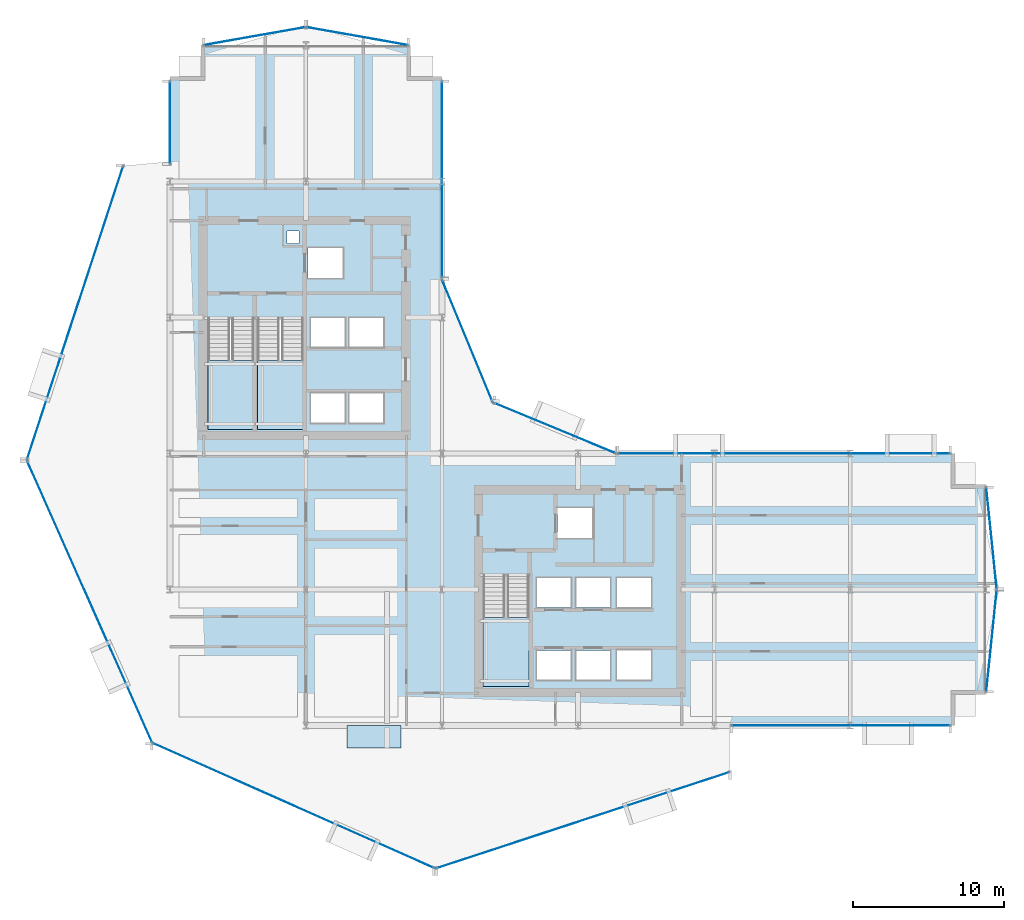
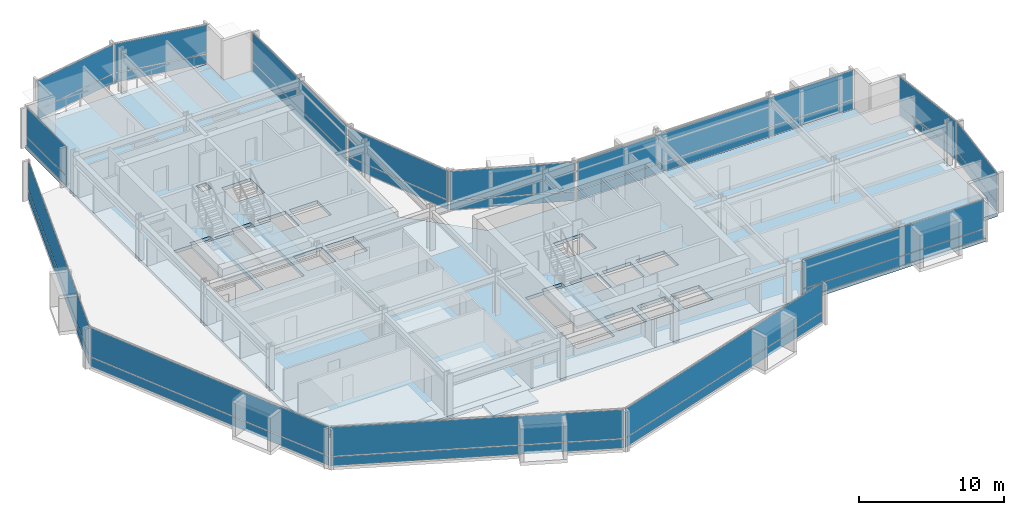
# One storey, part 27 of 35: 28 plates, 5 slabs, 17 elements without a shape of their own.
"""IFC4 building model written with IfcOpenShell, lengths in metres."""

import ifcopenshell
import ifcopenshell.guid

model = None  # the IFC model being written
_history = None  # IfcOwnerHistory: only IFC2X3 demands one
_inside = {}  # id of a spatial element -> (the spatial element, [elements in it])
_under = {}  # id of a project, library or spatial element -> (it, [spatial elements below it])
_declared = {}  # id of a project -> (the project, [libraries it declares])
_typed = {}  # id of a type object -> (the type object, [elements of that type])
_made_of = {}  # id of a material, layer set ... -> (it, [elements and type objects made of it])


def new_model(schema):
    """Start an empty IFC model of exactly this schema.

    Asked for "IFC4X3", IfcOpenShell would pick the latest addendum, in which some entities
    have other attributes; the version numbers below select the first issue.
    IFC2X3 requires an IfcOwnerHistory on every rooted entity: one is made here for all.
    """
    global model, _history
    if schema == "IFC4X3":
        model = ifcopenshell.file(schema_version=(4, 3, 0, 0))
    else:
        model = ifcopenshell.file(schema=schema)
    _inside.clear()
    _under.clear()
    _declared.clear()
    _typed.clear()
    _made_of.clear()
    _history = None
    if model.schema == "IFC2X3":
        org = make("IfcOrganization", Name="unknown")
        user = make(
            "IfcPersonAndOrganization",
            ThePerson=make("IfcPerson", FamilyName="unknown"),
            TheOrganization=org,
        )
        app = make(
            "IfcApplication",
            ApplicationDeveloper=org,
            Version="unknown",
            ApplicationFullName="unknown",
            ApplicationIdentifier="unknown",
        )
        _history = make(
            "IfcOwnerHistory",
            OwningUser=user,
            OwningApplication=app,
            ChangeAction="ADDED",
            CreationDate=0,
        )
    return model


def make(cls, **values):
    """One entity of the class cls with the attributes given. An attribute that is None is left unset."""
    return model.create_entity(
        cls, **{name: value for name, value in values.items() if value is not None}
    )


def rooted(cls, **values):
    """An entity with a GlobalId (a new one), such as an element, a storey or a relation."""
    return make(cls, GlobalId=ifcopenshell.guid.new(), OwnerHistory=_history, **values)


def si_unit(unit_type, name, prefix=None):
    """IfcSIUnit, for example si_unit("LENGTHUNIT", "METRE", prefix="MILLI")."""
    return make("IfcSIUnit", UnitType=unit_type, Prefix=prefix, Name=name)


def assignment(units):
    """IfcUnitAssignment: the units of a project."""
    return None if units is None else make("IfcUnitAssignment", Units=units)


def point(xyz):
    """IfcCartesianPoint."""
    return None if xyz is None else make("IfcCartesianPoint", Coordinates=xyz)


def direction(xyz):
    """IfcDirection."""
    return None if xyz is None else make("IfcDirection", DirectionRatios=xyz)


def frame(location, z_axis=None, x_axis=None):
    """IfcAxis2Placement3D, a coordinate frame: its origin and axes. An axis left out is left unset."""
    return make(
        "IfcAxis2Placement3D",
        Location=point(location),
        Axis=direction(z_axis),
        RefDirection=direction(x_axis),
    )


def frame_2d(location, x_axis=None):
    """IfcAxis2Placement2D, a coordinate frame in the plane: its origin and x axis."""
    return make(
        "IfcAxis2Placement2D", Location=point(location), RefDirection=direction(x_axis)
    )


def origin():
    """The frame at (0, 0, 0) with its axes left unset."""
    return frame((0.0, 0.0, 0.0))


def origin_2d():
    """The frame at (0, 0) in the plane with its x axis left unset."""
    return frame_2d((0.0, 0.0))


def place(relative_to, where):
    """IfcLocalPlacement: puts the frame where relative to a parent placement (None: the world)."""
    return make(
        "IfcLocalPlacement", PlacementRelTo=relative_to, RelativePlacement=where
    )


def context(
    kind, dimensions, precision=None, world=None, true_north=None, identifier=None
):
    """IfcGeometricRepresentationContext, for example the 3D "Model" context."""
    return make(
        "IfcGeometricRepresentationContext",
        ContextIdentifier=identifier,
        ContextType=kind,
        CoordinateSpaceDimension=dimensions,
        Precision=precision,
        WorldCoordinateSystem=world,
        TrueNorth=true_north,
    )


def subcontext(parent, identifier, kind, view, scale=None):
    """IfcGeometricRepresentationSubContext, for example "Body" below "Model"."""
    return make(
        "IfcGeometricRepresentationSubContext",
        ContextIdentifier=identifier,
        ContextType=kind,
        ParentContext=parent,
        TargetScale=scale,
        TargetView=view,
    )


def project(units=None, contexts=None):
    """IfcProject with its units and contexts."""
    return rooted(
        "IfcProject",
        Name="project",
        RepresentationContexts=contexts,
        UnitsInContext=assignment(units),
    )


def spatial(cls, under=None, at=None, **own):
    """A site, building, storey or space (cls), placed at a placement, below another one or the project."""
    s = rooted(cls, ObjectPlacement=at, **own)
    if under is not None:
        _under.setdefault(under.id(), (under, []))[1].append(s)
    return s


def polyline(points):
    """IfcPolyline through the points."""
    return make("IfcPolyline", Points=[point(p) for p in points])


def profile(cls, at=None, kind="AREA", **sizes):
    """A parametric profile (cls). Its sizes go by their IFC names, for example OverallWidth=200.0."""
    return make(cls, ProfileType=kind, Position=at, **sizes)


def rectangle(**sizes):
    """IfcRectangleProfileDef."""
    return profile("IfcRectangleProfileDef", **sizes)


def outline(outer, holes=None, kind="AREA"):
    """IfcArbitraryClosedProfileDef: a profile drawn as a closed curve; with holes, ...WithVoids."""
    if holes is None:
        return make("IfcArbitraryClosedProfileDef", ProfileType=kind, OuterCurve=outer)
    return make(
        "IfcArbitraryProfileDefWithVoids",
        ProfileType=kind,
        OuterCurve=outer,
        InnerCurves=holes,
    )


def extrude(swept, where, along, depth):
    """IfcExtrudedAreaSolid: the profile swept, set in the frame where, extruded along a direction by depth."""
    return make(
        "IfcExtrudedAreaSolid",
        SweptArea=swept,
        Position=where,
        ExtrudedDirection=direction(along),
        Depth=depth,
    )


def shape(context_of_items, identifier, shape_type, items):
    """IfcShapeRepresentation: the items that make up one representation, for example the "Body"."""
    return make(
        "IfcShapeRepresentation",
        ContextOfItems=context_of_items,
        RepresentationIdentifier=identifier,
        RepresentationType=shape_type,
        Items=items,
    )


def material(Name=None, Category=None):
    """IfcMaterial."""
    return make("IfcMaterial", Name=Name, Category=Category)


def layer(
    of_material, thickness, ventilated=None, Name=None, Category=None, Priority=None
):
    """IfcMaterialLayer: one layer of a wall or slab, of a material (None: an air gap)."""
    return make(
        "IfcMaterialLayer",
        Material=of_material,
        LayerThickness=thickness,
        IsVentilated=ventilated,
        Name=Name,
        Category=Category,
        Priority=Priority,
    )


def layer_set(layers, Name=None):
    """IfcMaterialLayerSet."""
    return make("IfcMaterialLayerSet", MaterialLayers=layers, LayerSetName=Name)


def made_of(thing, what):
    """Note that an element or type object is made of a material, layer set ...; save() writes the relation."""
    if what is not None:
        _made_of.setdefault(what.id(), (what, []))[1].append(thing)
    return thing


def type_object(cls, material=None, **own):
    """A type object (cls), such as IfcWallType, which elements share."""
    return made_of(rooted(cls, **own), material)


def element(
    cls,
    number,
    at=None,
    inside=None,
    cuts=None,
    type_object=None,
    material=None,
    context=None,
    identifier="Body",
    shape_type=None,
    held_by="IfcProductDefinitionShape",
    body=None,
    shapes=None,
    **own,
):
    """One element of the class cls, such as IfcWall. Its Tag is "e" and its number.

    at: its placement. inside: the storey or other place that contains it. cuts: it is an
    opening in that element (IfcRelVoidsElement). A single representation is given by context,
    identifier, shape_type and body (its items); several are given by shapes. held_by: the class
    of the entity that holds the representations. save() writes the other relations.
    """
    e = rooted(cls, Tag="e%d" % number, ObjectPlacement=at, **own)
    if body is not None:
        shapes = [shape(context, identifier, shape_type, body)]
    if shapes is not None:
        e.Representation = make(held_by, Representations=shapes)
    if inside is not None:
        _inside.setdefault(inside.id(), (inside, []))[1].append(e)
    if cuts is not None:
        rooted(
            "IfcRelVoidsElement", RelatingBuildingElement=cuts, RelatedOpeningElement=e
        )
    if type_object is not None:
        _typed.setdefault(type_object.id(), (type_object, []))[1].append(e)
    return made_of(e, material)


def aggregate(whole, parts):
    """IfcRelAggregates: a whole, such as a stair, and the parts it consists of."""
    return rooted("IfcRelAggregates", RelatingObject=whole, RelatedObjects=parts)


def save(model, path):
    """Write the relations noted so far, then the file.

    IfcRelAggregates (storeys below a building ...), IfcRelContainedInSpatialStructure (elements
    in a storey), IfcRelDefinesByType, IfcRelAssociatesMaterial and IfcRelDeclares: one each for
    every whole, place, type object, material and project.
    """
    for whole, parts in _under.values():
        aggregate(whole, parts)
    for where, things in _inside.values():
        rooted(
            "IfcRelContainedInSpatialStructure",
            RelatedElements=things,
            RelatingStructure=where,
        )
    for kind, things in _typed.values():
        rooted("IfcRelDefinesByType", RelatedObjects=things, RelatingType=kind)
    for what, things in _made_of.values():
        rooted("IfcRelAssociatesMaterial", RelatedObjects=things, RelatingMaterial=what)
    for by, libraries in _declared.values():
        rooted("IfcRelDeclares", RelatingContext=by, RelatedDefinitions=libraries)
    model.write(path)


model = new_model("IFC4")

# Units and contexts
model_context = context("Model", 3, precision=1e-05, world=origin(), true_north=direction((0.0, 1.0)))
body_context = subcontext(model_context, "Body", "Model", "MODEL_VIEW")
ifc_project = project(units=[si_unit("LENGTHUNIT", "METRE"), si_unit("AREAUNIT", "SQUARE_METRE"), si_unit("VOLUMEUNIT", "CUBIC_METRE"), si_unit("PLANEANGLEUNIT", "RADIAN"), si_unit("MASSUNIT", "GRAM", prefix="KILO")], contexts=[model_context])

# Site, building, storey
site_placement = place(None, origin())
site = spatial("IfcSite", under=ifc_project, at=site_placement, CompositionType="ELEMENT")
building_placement = place(site_placement, origin())
building = spatial("IfcBuilding", under=site, at=building_placement, Name="Solvaryn Broadcast Tower", CompositionType="ELEMENT")
storey_placement = place(building_placement, frame((0.0, 0.0, 80.39990234375)))
storey = spatial("IfcBuildingStorey", under=building, at=storey_placement, Name="L19", CompositionType="ELEMENT", Elevation=80.39990234375)

# Curtain wall, plates
ifc_material_1 = material(Name="Aluminium and Terracotta Unitised Curtain Wall", Category="masonry")
ifc_layer_1 = layer(ifc_material_1, 0.199951171875)
ifc_layer_set_1 = layer_set([ifc_layer_1], Name="CW-SYS2-LOWMID")
curtain_wall_type_1 = type_object("IfcCurtainWallType", Name="CW-SYS2-LOWMID", PredefinedType="NOTDEFINED", material=ifc_layer_set_1)
curtain_wall_1_placement = place(storey_placement, origin())
curtain_wall_1 = element("IfcCurtainWall", 1, at=curtain_wall_1_placement, inside=storey, type_object=curtain_wall_type_1, Name="L19 Curtain Wall DR1", PredefinedType="NOTDEFINED")
ifc_material_2 = material(Name="Low-Iron Insulated Vision Glass", Category="glass")
ifc_layer_2 = layer(ifc_material_2, 0.035888671875)
ifc_layer_set_2 = layer_set([ifc_layer_2], Name="CW-PNL-VISION")
plate_type = type_object("IfcPlateType", Name="CW-PNL-VISION", PredefinedType="CURTAIN_PANEL", material=ifc_layer_set_2)
plate_1_placement = place(storey_placement, frame((2.72607421875, 36.2880859375, 0.06005859375), z_axis=(0.0, 0.0, 1.0), x_axis=(-0.311594044587, -0.950215318429, 0.0)))
plate_1 = element("IfcPlate", 2, at=plate_1_placement, type_object=plate_type, Name="CWS2 panel 1.1", PredefinedType="CURTAIN_PANEL", context=body_context, shape_type="SweptSolid", body=[
    extrude(rectangle(XDim=20.35546875, YDim=0.028076171875, at=origin_2d()), origin(), (0.0, 0.0, 1.0), 0.760009765625),
])
plate_2_placement = place(storey_placement, frame((2.72607421875, 36.2880859375, 0.88037109375), z_axis=(0.0, 0.0, 1.0), x_axis=(-0.311594044587, -0.950215318429, 0.0)))
plate_2 = element("IfcPlate", 3, at=plate_2_placement, type_object=plate_type, Name="CWS2 panel 1.2", PredefinedType="CURTAIN_PANEL", context=body_context, shape_type="SweptSolid", body=[
    extrude(rectangle(XDim=20.35546875, YDim=0.028076171875, at=origin_2d()), origin(), (0.0, 0.0, 1.0), 2.429931640625),
])
aggregate(curtain_wall_1, [plate_1, plate_2])

ifc_material_3 = material(Name="Aluminium and Terracotta Unitised Curtain Wall", Category="masonry")
ifc_layer_3 = layer(ifc_material_3, 0.239990234375)
ifc_layer_set_3 = layer_set([ifc_layer_3], Name="CW-SYS3-BAYBOX")
curtain_wall_type_2 = type_object("IfcCurtainWallType", Name="CW-SYS3-BAYBOX", PredefinedType="NOTDEFINED", material=ifc_layer_set_3)
curtain_wall_2_placement = place(storey_placement, origin())
curtain_wall_2 = element("IfcCurtainWall", 4, at=curtain_wall_2_placement, inside=storey, type_object=curtain_wall_type_2, Name="L19 Curtain Wall DR2", PredefinedType="NOTDEFINED")
plate_3_placement = place(storey_placement, frame((3.69140625, 17.20361328125, 0.06005859375), z_axis=(0.0, 0.0, 1.0), x_axis=(0.405898286554, -0.913918257271, 0.0)))
plate_3 = element("IfcPlate", 5, at=plate_3_placement, type_object=plate_type, Name="CWS3 panel 1.1", PredefinedType="CURTAIN_PANEL", context=body_context, shape_type="SweptSolid", body=[
    extrude(rectangle(XDim=20.35546875, YDim=0.028076171875, at=origin_2d()), origin(), (0.0, 0.0, 1.0), 0.760009765625),
])
plate_4_placement = place(storey_placement, frame((3.69140625, 17.20361328125, 0.88037109375), z_axis=(0.0, 0.0, 1.0), x_axis=(0.405898286554, -0.913918257271, 0.0)))
plate_4 = element("IfcPlate", 6, at=plate_4_placement, type_object=plate_type, Name="CWS3 panel 1.2", PredefinedType="CURTAIN_PANEL", context=body_context, shape_type="SweptSolid", body=[
    extrude(rectangle(XDim=20.35546875, YDim=0.028076171875, at=origin_2d()), origin(), (0.0, 0.0, 1.0), 2.429931640625),
])
aggregate(curtain_wall_2, [plate_3, plate_4])

curtain_wall_3_placement = place(storey_placement, origin())
curtain_wall_3 = element("IfcCurtainWall", 7, at=curtain_wall_3_placement, inside=storey, type_object=curtain_wall_type_1, Name="L19 Curtain Wall DR3", PredefinedType="NOTDEFINED")
plate_5_placement = place(storey_placement, frame((17.20361328125, 3.69140625, 0.06005859375), z_axis=(0.0, 0.0, 1.0), x_axis=(0.913918257271, -0.405898286554, 0.0)))
plate_5 = element("IfcPlate", 8, at=plate_5_placement, type_object=plate_type, Name="CWS2 panel 1.1", PredefinedType="CURTAIN_PANEL", context=body_context, shape_type="SweptSolid", body=[
    extrude(rectangle(XDim=20.35546875, YDim=0.028076171875, at=origin_2d()), origin(), (0.0, 0.0, 1.0), 0.760009765625),
])
plate_6_placement = place(storey_placement, frame((17.20361328125, 3.69140625, 0.88037109375), z_axis=(0.0, 0.0, 1.0), x_axis=(0.913918257271, -0.405898286554, 0.0)))
plate_6 = element("IfcPlate", 9, at=plate_6_placement, type_object=plate_type, Name="CWS2 panel 1.2", PredefinedType="CURTAIN_PANEL", context=body_context, shape_type="SweptSolid", body=[
    extrude(rectangle(XDim=20.35546875, YDim=0.028076171875, at=origin_2d()), origin(), (0.0, 0.0, 1.0), 2.429931640625),
])
aggregate(curtain_wall_3, [plate_5, plate_6])

curtain_wall_4_placement = place(storey_placement, origin())
curtain_wall_4 = element("IfcCurtainWall", 10, at=curtain_wall_4_placement, inside=storey, type_object=curtain_wall_type_1, Name="L19 Curtain Wall DR4", PredefinedType="NOTDEFINED")
plate_7_placement = place(storey_placement, frame((36.2880859375, 2.72607421875, 0.06005859375), z_axis=(0.0, 0.0, 1.0), x_axis=(0.950215318429, 0.311594044587, 0.0)))
plate_7 = element("IfcPlate", 11, at=plate_7_placement, type_object=plate_type, Name="CWS2 panel 1.1", PredefinedType="CURTAIN_PANEL", context=body_context, shape_type="SweptSolid", body=[
    extrude(rectangle(XDim=20.35546875, YDim=0.028076171875, at=origin_2d()), origin(), (0.0, 0.0, 1.0), 0.760009765625),
])
plate_8_placement = place(storey_placement, frame((36.2880859375, 2.72607421875, 0.88037109375), z_axis=(0.0, 0.0, 1.0), x_axis=(0.950215318429, 0.311594044587, 0.0)))
plate_8 = element("IfcPlate", 12, at=plate_8_placement, type_object=plate_type, Name="CWS2 panel 1.2", PredefinedType="CURTAIN_PANEL", context=body_context, shape_type="SweptSolid", body=[
    extrude(rectangle(XDim=20.35546875, YDim=0.028076171875, at=origin_2d()), origin(), (0.0, 0.0, 1.0), 2.429931640625),
])
aggregate(curtain_wall_4, [plate_7, plate_8])

curtain_wall_5_placement = place(storey_placement, origin())
curtain_wall_5 = element("IfcCurtainWall", 13, at=curtain_wall_5_placement, inside=storey, type_object=curtain_wall_type_1, Name="L19 Curtain Wall W2", PredefinedType="NOTDEFINED")
plate_9_placement = place(storey_placement, frame((9.0, 48.883056640625, 0.06005859375), z_axis=(0.0, 0.0, 1.0), x_axis=(0.0, 1.0, 0.0)))
plate_9 = element("IfcPlate", 14, at=plate_9_placement, type_object=plate_type, Name="CWS2 panel 1.1", PredefinedType="CURTAIN_PANEL", context=body_context, shape_type="SweptSolid", body=[
    extrude(rectangle(XDim=5.4140625, YDim=0.028076171875, at=origin_2d()), origin(), (0.0, 0.0, 1.0), 0.760009765625),
])
plate_10_placement = place(storey_placement, frame((9.0, 48.883056640625, 0.88037109375), z_axis=(0.0, 0.0, 1.0), x_axis=(0.0, 1.0, 0.0)))
plate_10 = element("IfcPlate", 15, at=plate_10_placement, type_object=plate_type, Name="CWS2 panel 1.2", PredefinedType="CURTAIN_PANEL", context=body_context, shape_type="SweptSolid", body=[
    extrude(rectangle(XDim=5.4140625, YDim=0.028076171875, at=origin_2d()), origin(), (0.0, 0.0, 1.0), 2.429931640625),
])
aggregate(curtain_wall_5, [plate_9, plate_10])

curtain_wall_6_placement = place(storey_placement, origin())
curtain_wall_6 = element("IfcCurtainWall", 16, at=curtain_wall_6_placement, inside=storey, type_object=curtain_wall_type_1, Name="L19 Curtain Wall IV", PredefinedType="NOTDEFINED")
plate_11_placement = place(storey_placement, frame((27.0, 45.125, 0.06005859375), z_axis=(0.0, 0.0, 1.0), x_axis=(0.0, -1.0, 0.0)))
plate_11 = element("IfcPlate", 17, at=plate_11_placement, type_object=plate_type, Name="CWS2 panel 1.1", PredefinedType="CURTAIN_PANEL", context=body_context, shape_type="SweptSolid", body=[
    extrude(rectangle(XDim=12.929931640625, YDim=0.028076171875, at=origin_2d()), origin(), (0.0, 0.0, 1.0), 0.760009765625),
])
plate_12_placement = place(storey_placement, frame((27.0, 45.125, 0.88037109375), z_axis=(0.0, 0.0, 1.0), x_axis=(0.0, -1.0, 0.0)))
plate_12 = element("IfcPlate", 18, at=plate_12_placement, type_object=plate_type, Name="CWS2 panel 1.2", PredefinedType="CURTAIN_PANEL", context=body_context, shape_type="SweptSolid", body=[
    extrude(rectangle(XDim=12.929931640625, YDim=0.028076171875, at=origin_2d()), origin(), (0.0, 0.0, 1.0), 2.429931640625),
])
aggregate(curtain_wall_6, [plate_11, plate_12])

curtain_wall_7_placement = place(storey_placement, origin())
curtain_wall_7 = element("IfcCurtainWall", 19, at=curtain_wall_7_placement, inside=storey, type_object=curtain_wall_type_1, Name="L19 Curtain Wall CN1", PredefinedType="NOTDEFINED")
plate_13_placement = place(storey_placement, frame((34.43408203125, 28.68408203125, 0.06005859375), z_axis=(0.0, 0.0, 1.0), x_axis=(-0.923894983957, 0.382646127145, 0.0)))
plate_13 = element("IfcPlate", 20, at=plate_13_placement, type_object=plate_type, Name="CWS2 panel 1.1", PredefinedType="CURTAIN_PANEL", context=body_context, shape_type="SweptSolid", body=[
    extrude(rectangle(XDim=8.681884765625, YDim=0.028076171875, at=origin_2d()), origin(), (0.0, 0.0, 1.0), 0.760009765625),
])
plate_14_placement = place(storey_placement, frame((34.43408203125, 28.68408203125, 0.88037109375), z_axis=(0.0, 0.0, 1.0), x_axis=(-0.923894983957, 0.382646127145, 0.0)))
plate_14 = element("IfcPlate", 21, at=plate_14_placement, type_object=plate_type, Name="CWS2 panel 1.2", PredefinedType="CURTAIN_PANEL", context=body_context, shape_type="SweptSolid", body=[
    extrude(rectangle(XDim=8.681884765625, YDim=0.028076171875, at=origin_2d()), origin(), (0.0, 0.0, 1.0), 2.429931640625),
])
aggregate(curtain_wall_7, [plate_13, plate_14])

curtain_wall_8_placement = place(storey_placement, origin())
curtain_wall_8 = element("IfcCurtainWall", 22, at=curtain_wall_8_placement, inside=storey, type_object=curtain_wall_type_1, Name="L19 Curtain Wall CN2", PredefinedType="NOTDEFINED")
plate_15_placement = place(storey_placement, frame((28.68408203125, 34.43408203125, 0.06005859375), z_axis=(0.0, 0.0, 1.0), x_axis=(-0.382646127145, 0.923894983957, 0.0)))
plate_15 = element("IfcPlate", 23, at=plate_15_placement, type_object=plate_type, Name="CWS2 panel 1.1", PredefinedType="CURTAIN_PANEL", context=body_context, shape_type="SweptSolid", body=[
    extrude(rectangle(XDim=8.681884765625, YDim=0.028076171875, at=origin_2d()), origin(), (0.0, 0.0, 1.0), 0.760009765625),
])
plate_16_placement = place(storey_placement, frame((28.68408203125, 34.43408203125, 0.88037109375), z_axis=(0.0, 0.0, 1.0), x_axis=(-0.382646127145, 0.923894983957, 0.0)))
plate_16 = element("IfcPlate", 24, at=plate_16_placement, type_object=plate_type, Name="CWS2 panel 1.2", PredefinedType="CURTAIN_PANEL", context=body_context, shape_type="SweptSolid", body=[
    extrude(rectangle(XDim=8.681884765625, YDim=0.028076171875, at=origin_2d()), origin(), (0.0, 0.0, 1.0), 2.429931640625),
])
aggregate(curtain_wall_8, [plate_15, plate_16])

curtain_wall_9_placement = place(storey_placement, origin())
curtain_wall_9 = element("IfcCurtainWall", 25, at=curtain_wall_9_placement, inside=storey, type_object=curtain_wall_type_1, Name="L19 Curtain Wall S2", PredefinedType="NOTDEFINED")
plate_17_placement = place(storey_placement, frame((53.383056640625, 9.0, 0.06005859375), z_axis=(0.0, 0.0, 1.0), x_axis=(1.0, 0.0, 0.0)))
plate_17 = element("IfcPlate", 26, at=plate_17_placement, type_object=plate_type, Name="CWS2 panel 1.1", PredefinedType="CURTAIN_PANEL", context=body_context, shape_type="SweptSolid", body=[
    extrude(rectangle(XDim=14.4140625, YDim=0.028076171875, at=origin_2d()), origin(), (0.0, 0.0, 1.0), 0.760009765625),
])
plate_18_placement = place(storey_placement, frame((53.383056640625, 9.0, 0.88037109375), z_axis=(0.0, 0.0, 1.0), x_axis=(1.0, 0.0, 0.0)))
plate_18 = element("IfcPlate", 27, at=plate_18_placement, type_object=plate_type, Name="CWS2 panel 1.2", PredefinedType="CURTAIN_PANEL", context=body_context, shape_type="SweptSolid", body=[
    extrude(rectangle(XDim=14.4140625, YDim=0.028076171875, at=origin_2d()), origin(), (0.0, 0.0, 1.0), 2.429931640625),
])
aggregate(curtain_wall_9, [plate_17, plate_18])

curtain_wall_10_placement = place(storey_placement, origin())
curtain_wall_10 = element("IfcCurtainWall", 28, at=curtain_wall_10_placement, inside=storey, type_object=curtain_wall_type_1, Name="L19 Curtain Wall NT1", PredefinedType="NOTDEFINED")
plate_19_placement = place(storey_placement, frame((21.39990234375, 54.60009765625, 0.06005859375), z_axis=(0.0, 0.0, 1.0), x_axis=(-0.984783558819, 0.173785333901, 0.0)))
plate_19 = element("IfcPlate", 29, at=plate_19_placement, type_object=plate_type, Name="CWS2 panel 1.1", PredefinedType="CURTAIN_PANEL", context=body_context, shape_type="SweptSolid", body=[
    extrude(rectangle(XDim=6.78515625, YDim=0.028076171875, at=origin_2d()), origin(), (0.0, 0.0, 1.0), 0.760009765625),
])
plate_20_placement = place(storey_placement, frame((21.39990234375, 54.60009765625, 0.88037109375), z_axis=(0.0, 0.0, 1.0), x_axis=(-0.984783558819, 0.173785333901, 0.0)))
plate_20 = element("IfcPlate", 30, at=plate_20_placement, type_object=plate_type, Name="CWS2 panel 1.2", PredefinedType="CURTAIN_PANEL", context=body_context, shape_type="SweptSolid", body=[
    extrude(rectangle(XDim=6.78515625, YDim=0.028076171875, at=origin_2d()), origin(), (0.0, 0.0, 1.0), 2.429931640625),
])
aggregate(curtain_wall_10, [plate_19, plate_20])

curtain_wall_11_placement = place(storey_placement, origin())
curtain_wall_11 = element("IfcCurtainWall", 31, at=curtain_wall_11_placement, inside=storey, type_object=curtain_wall_type_1, Name="L19 Curtain Wall NT2", PredefinedType="NOTDEFINED")
plate_21_placement = place(storey_placement, frame((14.60009765625, 54.60009765625, 0.06005859375), z_axis=(0.0, 0.0, 1.0), x_axis=(-0.984783558819, -0.173785333901, 0.0)))
plate_21 = element("IfcPlate", 32, at=plate_21_placement, type_object=plate_type, Name="CWS2 panel 1.1", PredefinedType="CURTAIN_PANEL", context=body_context, shape_type="SweptSolid", body=[
    extrude(rectangle(XDim=6.78515625, YDim=0.028076171875, at=origin_2d()), origin(), (0.0, 0.0, 1.0), 0.760009765625),
])
plate_22_placement = place(storey_placement, frame((14.60009765625, 54.60009765625, 0.88037109375), z_axis=(0.0, 0.0, 1.0), x_axis=(-0.984783558819, -0.173785333901, 0.0)))
plate_22 = element("IfcPlate", 33, at=plate_22_placement, type_object=plate_type, Name="CWS2 panel 1.2", PredefinedType="CURTAIN_PANEL", context=body_context, shape_type="SweptSolid", body=[
    extrude(rectangle(XDim=6.78515625, YDim=0.028076171875, at=origin_2d()), origin(), (0.0, 0.0, 1.0), 2.429931640625),
])
aggregate(curtain_wall_11, [plate_21, plate_22])

curtain_wall_12_placement = place(storey_placement, origin())
curtain_wall_12 = element("IfcCurtainWall", 34, at=curtain_wall_12_placement, inside=storey, type_object=curtain_wall_type_1, Name="L19 Curtain Wall ET1", PredefinedType="NOTDEFINED")
plate_23_placement = place(storey_placement, frame((63.35009765625, 21.39990234375, 0.06005859375), z_axis=(0.0, 0.0, 1.0), x_axis=(0.10240004548, -0.99474329889, 0.0)))
plate_23 = element("IfcPlate", 35, at=plate_23_placement, type_object=plate_type, Name="CWS2 panel 1.1", PredefinedType="CURTAIN_PANEL", context=body_context, shape_type="SweptSolid", body=[
    extrude(rectangle(XDim=6.7158203125, YDim=0.028076171875, at=origin_2d()), origin(), (0.0, 0.0, 1.0), 0.760009765625),
])
plate_24_placement = place(storey_placement, frame((63.35009765625, 21.39990234375, 0.88037109375), z_axis=(0.0, 0.0, 1.0), x_axis=(0.10240004548, -0.99474329889, 0.0)))
plate_24 = element("IfcPlate", 36, at=plate_24_placement, type_object=plate_type, Name="CWS2 panel 1.2", PredefinedType="CURTAIN_PANEL", context=body_context, shape_type="SweptSolid", body=[
    extrude(rectangle(XDim=6.7158203125, YDim=0.028076171875, at=origin_2d()), origin(), (0.0, 0.0, 1.0), 2.429931640625),
])
aggregate(curtain_wall_12, [plate_23, plate_24])

curtain_wall_13_placement = place(storey_placement, origin())
curtain_wall_13 = element("IfcCurtainWall", 37, at=curtain_wall_13_placement, inside=storey, type_object=curtain_wall_type_1, Name="L19 Curtain Wall ET2", PredefinedType="NOTDEFINED")
plate_25_placement = place(storey_placement, frame((63.35009765625, 14.60009765625, 0.06005859375), z_axis=(0.0, 0.0, 1.0), x_axis=(-0.10240004548, -0.99474329889, 0.0)))
plate_25 = element("IfcPlate", 38, at=plate_25_placement, type_object=plate_type, Name="CWS2 panel 1.1", PredefinedType="CURTAIN_PANEL", context=body_context, shape_type="SweptSolid", body=[
    extrude(rectangle(XDim=6.7158203125, YDim=0.028076171875, at=origin_2d()), origin(), (0.0, 0.0, 1.0), 0.760009765625),
])
plate_26_placement = place(storey_placement, frame((63.35009765625, 14.60009765625, 0.88037109375), z_axis=(0.0, 0.0, 1.0), x_axis=(-0.10240004548, -0.99474329889, 0.0)))
plate_26 = element("IfcPlate", 39, at=plate_26_placement, type_object=plate_type, Name="CWS2 panel 1.2", PredefinedType="CURTAIN_PANEL", context=body_context, shape_type="SweptSolid", body=[
    extrude(rectangle(XDim=6.7158203125, YDim=0.028076171875, at=origin_2d()), origin(), (0.0, 0.0, 1.0), 2.429931640625),
])
aggregate(curtain_wall_13, [plate_25, plate_26])

curtain_wall_14_placement = place(storey_placement, origin())
curtain_wall_14 = element("IfcCurtainWall", 40, at=curtain_wall_14_placement, inside=storey, type_object=curtain_wall_type_1, Name="L19 Curtain Wall IH", PredefinedType="NOTDEFINED")
plate_27_placement = place(storey_placement, frame((49.625, 27.0, 0.06005859375), z_axis=(0.0, 0.0, 1.0), x_axis=(1.0, 0.0, 0.0)))
plate_27 = element("IfcPlate", 41, at=plate_27_placement, type_object=plate_type, Name="CWS2 panel 1.1", PredefinedType="CURTAIN_PANEL", context=body_context, shape_type="SweptSolid", body=[
    extrude(rectangle(XDim=21.929931640625, YDim=0.028076171875, at=origin_2d()), origin(), (0.0, 0.0, 1.0), 0.760009765625),
])
plate_28_placement = place(storey_placement, frame((49.625, 27.0, 0.88037109375), z_axis=(0.0, 0.0, 1.0), x_axis=(1.0, 0.0, 0.0)))
plate_28 = element("IfcPlate", 42, at=plate_28_placement, type_object=plate_type, Name="CWS2 panel 1.2", PredefinedType="CURTAIN_PANEL", context=body_context, shape_type="SweptSolid", body=[
    extrude(rectangle(XDim=21.929931640625, YDim=0.028076171875, at=origin_2d()), origin(), (0.0, 0.0, 1.0), 2.429931640625),
])
aggregate(curtain_wall_14, [plate_27, plate_28])

# Slab
ifc_material_4 = material(Name="Concrete f'c 60 MPa", Category="concrete")
ifc_layer_4 = layer(ifc_material_4, 0.2099609375)
ifc_layer_set_4 = layer_set([ifc_layer_4], Name="SL-BAYBOX-210")
slab_type_1 = type_object("IfcSlabType", Name="SL-BAYBOX-210", PredefinedType="FLOOR", material=ifc_layer_set_4)
slab_1_placement = place(storey_placement, frame((0.0, 0.0, -0.2099609375)))
element("IfcSlab", 43, at=slab_1_placement, inside=storey, type_object=slab_type_1, Name="L19 Projecting Bay-Box Slab 1", PredefinedType="FLOOR", context=body_context, shape_type="SweptSolid", body=[
    extrude(outline(polyline([(20.699951171875, 7.5), (24.300048828125, 7.5), (24.300048828125, 9.0), (20.699951171875, 9.0), (20.699951171875, 7.5)])), origin(), (0.0, 0.0, 1.0), 0.2099609375),
])

# Stair, slab
ifc_material_5 = material(Name="Concrete f'c 60 MPa", Category="concrete")
stair_type = type_object("IfcStairType", Name="ST-CORE", PredefinedType="HALF_TURN_STAIR", material=ifc_material_5)
stair_1_placement = place(storey_placement, origin())
stair_1 = element("IfcStair", 44, at=stair_1_placement, inside=storey, type_object=stair_type, Name="L19 ST1", PredefinedType="HALF_TURN_STAIR")
ifc_material_6 = material(Name="Concrete f'c 60 MPa", Category="concrete")
ifc_layer_5 = layer(ifc_material_6, 0.199951171875)
ifc_layer_set_5 = layer_set([ifc_layer_5], Name="SL-LANDING-200")
slab_type_2 = type_object("IfcSlabType", Name="SL-LANDING-200", PredefinedType="LANDING", material=ifc_layer_set_5)
slab_2_placement = place(storey_placement, frame((0.0, 0.0, 1.650146484375)))
slab_2 = element("IfcSlab", 45, at=slab_2_placement, type_object=slab_type_2, Name="ST1 landing 1", PredefinedType="LANDING", context=body_context, shape_type="SweptSolid", body=[
    extrude(outline(polyline([(11.52001953125, 33.159912109375), (11.52001953125, 28.60009765625), (14.550048828125, 28.60009765625), (14.550048828125, 33.159912109375), (11.52001953125, 33.159912109375)])), origin(), (0.0, 0.0, 1.0), 0.199951171875),
])
aggregate(stair_1, [slab_2])

stair_2_placement = place(storey_placement, origin())
stair_2 = element("IfcStair", 46, at=stair_2_placement, inside=storey, type_object=stair_type, Name="L19 ST2", PredefinedType="HALF_TURN_STAIR")
slab_3_placement = place(storey_placement, frame((0.0, 0.0, 1.650146484375)))
slab_3 = element("IfcSlab", 47, at=slab_3_placement, type_object=slab_type_2, Name="ST2 landing 1", PredefinedType="LANDING", context=body_context, shape_type="SweptSolid", body=[
    extrude(outline(polyline([(14.800048828125, 33.159912109375), (14.800048828125, 28.60009765625), (17.830078125, 28.60009765625), (17.830078125, 33.159912109375), (14.800048828125, 33.159912109375)])), origin(), (0.0, 0.0, 1.0), 0.199951171875),
])
aggregate(stair_2, [slab_3])

stair_3_placement = place(storey_placement, origin())
stair_3 = element("IfcStair", 48, at=stair_3_placement, inside=storey, type_object=stair_type, Name="L19 ST3", PredefinedType="HALF_TURN_STAIR")
slab_4_placement = place(storey_placement, frame((0.0, 0.0, 1.650146484375)))
slab_4 = element("IfcSlab", 49, at=slab_4_placement, type_object=slab_type_2, Name="ST3 landing 1", PredefinedType="LANDING", context=body_context, shape_type="SweptSolid", body=[
    extrude(outline(polyline([(29.719970703125, 16.159912109375), (29.719970703125, 11.60009765625), (32.75, 11.60009765625), (32.75, 16.159912109375), (29.719970703125, 16.159912109375)])), origin(), (0.0, 0.0, 1.0), 0.199951171875),
])
aggregate(stair_3, [slab_4])

# Slab
ifc_material_7 = material(Name="Concrete f'c 60 MPa", Category="concrete")
ifc_layer_6 = layer(ifc_material_7, 0.280029296875)
ifc_layer_set_6 = layer_set([ifc_layer_6], Name="SL-TWR-280")
slab_type_3 = type_object("IfcSlabType", Name="SL-TWR-280", PredefinedType="FLOOR", material=ifc_layer_set_6)
slab_5_placement = place(storey_placement, frame((0.0, 0.0, -0.27978515625)))
element("IfcSlab", 50, at=slab_5_placement, inside=storey, type_object=slab_type_3, Name="L19 Structural Floor Slab", PredefinedType="FLOOR", context=body_context, shape_type="SweptSolid", body=[
    extrude(outline(polyline([(11.199951171875, 9.0), (60.800048828125, 9.0), (60.800048828125, 11.199951171875), (63.0, 11.199951171875), (63.0, 24.800048828125), (60.800048828125, 24.800048828125), (60.800048828125, 27.0), (31.5, 27.0), (27.0, 31.5), (27.0, 51.800048828125), (24.800048828125, 51.800048828125), (24.800048828125, 54.0), (11.199951171875, 54.0), (11.199951171875, 51.800048828125), (9.0, 51.800048828125), (9.0, 11.199951171875), (11.199951171875, 11.199951171875), (11.199951171875, 9.0)]), holes=[polyline([(11.52001953125, 28.60009765625), (14.550048828125, 28.60009765625), (14.550048828125, 35.9599609375), (12.97998046875, 35.9599609375), (12.97998046875, 35.679931640625), (11.52001953125, 35.679931640625), (11.52001953125, 28.60009765625)]), polyline([(14.800048828125, 28.60009765625), (17.830078125, 28.60009765625), (17.830078125, 35.9599609375), (16.260009765625, 35.9599609375), (16.260009765625, 35.679931640625), (14.800048828125, 35.679931640625), (14.800048828125, 28.60009765625)]), polyline([(29.719970703125, 11.60009765625), (32.75, 11.60009765625), (32.75, 18.9599609375), (31.179931640625, 18.9599609375), (31.179931640625, 18.679931640625), (29.719970703125, 18.679931640625), (29.719970703125, 11.60009765625)]), polyline([(18.14990234375, 38.60009765625), (20.449951171875, 38.60009765625), (20.449951171875, 40.60009765625), (18.14990234375, 40.60009765625), (18.14990234375, 38.60009765625)]), polyline([(18.324951171875, 29.02490234375), (20.574951171875, 29.02490234375), (20.574951171875, 30.97509765625), (18.324951171875, 30.97509765625), (18.324951171875, 29.02490234375)]), polyline([(20.875, 29.02490234375), (23.125, 29.02490234375), (23.125, 30.97509765625), (20.875, 30.97509765625), (20.875, 29.02490234375)]), polyline([(18.324951171875, 34.02490234375), (20.574951171875, 34.02490234375), (20.574951171875, 35.97509765625), (18.324951171875, 35.97509765625), (18.324951171875, 34.02490234375)]), polyline([(20.875, 34.02490234375), (23.125, 34.02490234375), (23.125, 35.97509765625), (20.875, 35.97509765625), (20.875, 34.02490234375)]), polyline([(34.64990234375, 21.39990234375), (36.949951171875, 21.39990234375), (36.949951171875, 23.39990234375), (34.64990234375, 23.39990234375), (34.64990234375, 21.39990234375)]), polyline([(33.27490234375, 12.02490234375), (35.52490234375, 12.02490234375), (35.52490234375, 13.97509765625), (33.27490234375, 13.97509765625), (33.27490234375, 12.02490234375)]), polyline([(35.875, 12.02490234375), (38.125, 12.02490234375), (38.125, 13.97509765625), (35.875, 13.97509765625), (35.875, 12.02490234375)]), polyline([(33.27490234375, 16.824951171875), (35.52490234375, 16.824951171875), (35.52490234375, 18.77490234375), (33.27490234375, 18.77490234375), (33.27490234375, 16.824951171875)]), polyline([(35.875, 16.824951171875), (38.125, 16.824951171875), (38.125, 18.77490234375), (35.875, 18.77490234375), (35.875, 16.824951171875)]), polyline([(38.574951171875, 12.02490234375), (40.824951171875, 12.02490234375), (40.824951171875, 13.97509765625), (38.574951171875, 13.97509765625), (38.574951171875, 12.02490234375)]), polyline([(38.574951171875, 16.824951171875), (40.824951171875, 16.824951171875), (40.824951171875, 18.77490234375), (38.574951171875, 18.77490234375), (38.574951171875, 16.824951171875)]), polyline([(16.75, 40.89990234375), (17.550048828125, 40.89990234375), (17.550048828125, 41.699951171875), (16.75, 41.699951171875), (16.75, 40.89990234375)])]), origin(), (0.0, 0.0, 1.0), 0.27978515625),
])

save(model, "model.ifc")
